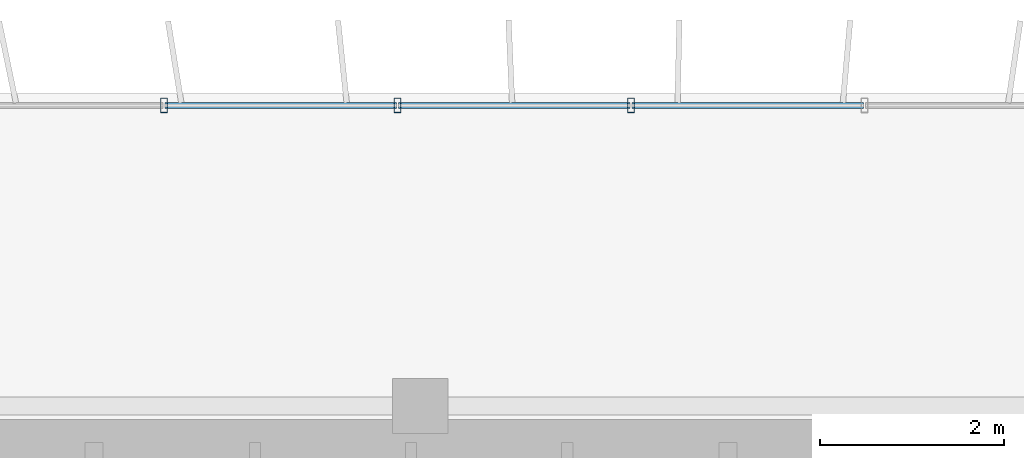
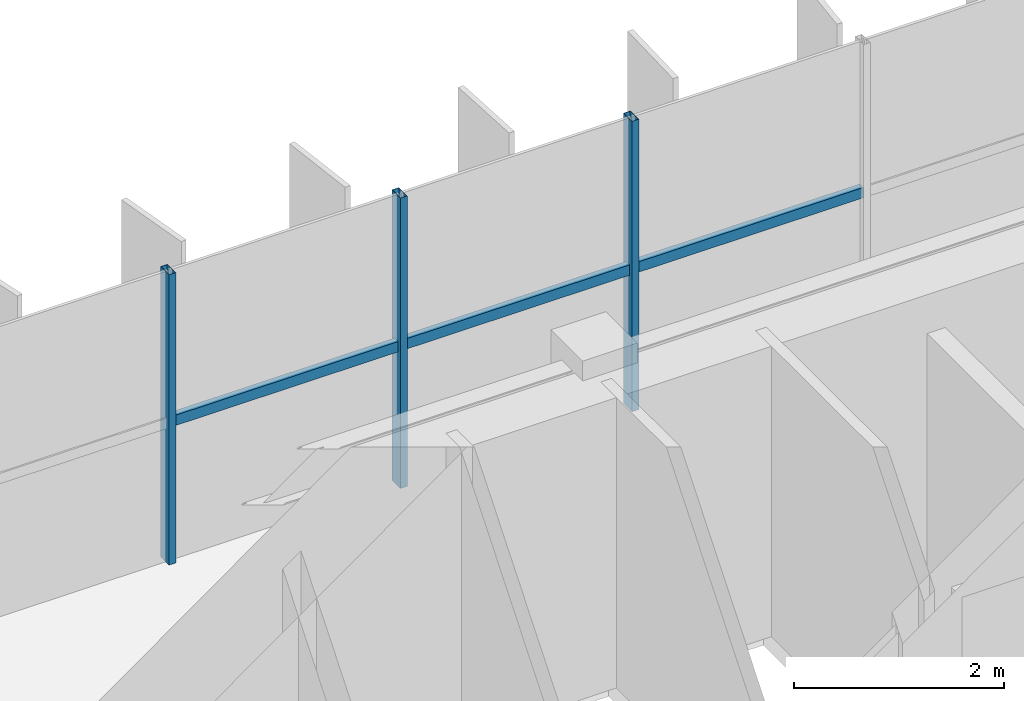
# One storey, part 11 of 22: 6 members, 1 element without a shape of its own.
"""IFC4 building model written with IfcOpenShell, lengths in metres."""

from ifc_helpers import new_model, si_unit, direction, frame, origin, origin_2d, place, context, subcontext, project, spatial, hollow_rectangle, extrude, source, transform, mapped, material, material_profile, profile_set, type_object, element, aggregate, save


model = new_model("IFC4")

# Units and contexts
model_context = context("Model", 3, precision=1e-05, world=origin(), true_north=direction((0.0, 1.0)))
body_context = subcontext(model_context, "Body", "Model", "MODEL_VIEW")
ifc_project = project(units=[si_unit("LENGTHUNIT", "METRE"), si_unit("AREAUNIT", "SQUARE_METRE"), si_unit("VOLUMEUNIT", "CUBIC_METRE"), si_unit("PLANEANGLEUNIT", "RADIAN"), si_unit("MASSUNIT", "GRAM", prefix="KILO")], contexts=[model_context])

# Site, building, storey
site_placement = place(None, origin())
site = spatial("IfcSite", under=ifc_project, at=site_placement, CompositionType="ELEMENT")
building_placement = place(site_placement, origin())
building = spatial("IfcBuilding", under=site, at=building_placement, Name="Trelvane Seafront Commons", CompositionType="ELEMENT")
storey_placement = place(building_placement, frame((0.0, 0.0, 270.300048828125)))
storey = spatial("IfcBuildingStorey", under=building, at=storey_placement, Name="L70", CompositionType="ELEMENT", Elevation=270.300048828125)

# Curtain wall, members
ifc_material = material(Name="Anodised pale-silver aluminium", Category="aluminium")
curtain_wall_type = type_object("IfcCurtainWallType", Name="ARCH-CW5-UPTOWER", PredefinedType="NOTDEFINED", material=ifc_material)
curtain_wall_placement = place(storey_placement, origin())
curtain_wall = element("IfcCurtainWall", 1, at=curtain_wall_placement, inside=storey, type_object=curtain_wall_type, Name="CW-L70-0114", PredefinedType="NOTDEFINED")
ifc_material_profile_1 = material_profile(ifc_material, hollow_rectangle(XDim=0.070068359375, YDim=0.1201171875, WallThickness=0.00390625, at=origin_2d()), Name="TRAN-70x120x4")
ifc_profile_set_1 = profile_set([ifc_material_profile_1], Name="Anodised pale-silver aluminium")
member_type_1 = type_object("IfcMemberType", Name="ARCH-CW-TRAN-120", PredefinedType="USERDEFINED", material=ifc_profile_set_1)
shared_shape_1 = source(origin(), body_context, "Body", "SweptSolid", [
    extrude(hollow_rectangle(XDim=0.070068359375, YDim=0.1201171875, WallThickness=0.00390625, at=origin_2d()), origin(), (0.0, 0.0, 1.0), 2.51708984375),
])
member_1_placement = place(storey_placement, frame((43.56494140625, 48.3701171875, 1.617919921875), z_axis=(1.0, 0.0, 0.0), x_axis=(0.0, 1.0, 0.0)))
member_1 = element("IfcMember", 2, at=member_1_placement, type_object=member_type_1, Name="CW-L70-0114-T11", ObjectType="TRANSOM", PredefinedType="USERDEFINED", context=body_context, shape_type="MappedRepresentation", body=[
    mapped(shared_shape_1, transform((0.0, 0.0, 0.0), x_axis=(1.0, 0.0, 0.0), y_axis=(0.0, 1.0, 0.0), z_axis=(0.0, 0.0, 1.0), scale=1.0)),
])
member_2_placement = place(storey_placement, frame((46.106201171875, 48.3701171875, 1.617919921875), z_axis=(1.0, 0.0, 0.0), x_axis=(0.0, 1.0, 0.0)))
member_2 = element("IfcMember", 3, at=member_2_placement, type_object=member_type_1, Name="CW-L70-0114-T12", ObjectType="TRANSOM", PredefinedType="USERDEFINED", context=body_context, shape_type="MappedRepresentation", body=[
    mapped(shared_shape_1, transform((0.0, 0.0, 0.0), x_axis=(1.0, 0.0, 0.0), y_axis=(0.0, 1.0, 0.0), z_axis=(0.0, 0.0, 1.0), scale=1.0)),
])
shared_shape_2 = source(origin(), body_context, "Body", "SweptSolid", [
    extrude(hollow_rectangle(XDim=0.070068359375, YDim=0.1201171875, WallThickness=0.00390625, at=origin_2d()), origin(), (0.0, 0.0, 1.0), 2.517333984375),
])
member_3_placement = place(storey_placement, frame((41.023681640625, 48.3701171875, 1.617919921875), z_axis=(1.0, 0.0, 0.0), x_axis=(0.0, 1.0, 0.0)))
member_3 = element("IfcMember", 4, at=member_3_placement, type_object=member_type_1, Name="CW-L70-0114-T10", ObjectType="TRANSOM", PredefinedType="USERDEFINED", context=body_context, shape_type="MappedRepresentation", body=[
    mapped(shared_shape_2, transform((0.0, 0.0, 0.0), x_axis=(1.0, 0.0, 0.0), y_axis=(0.0, 1.0, 0.0), z_axis=(0.0, 0.0, 1.0), scale=1.0)),
])
ifc_material_profile_2 = material_profile(ifc_material, hollow_rectangle(XDim=0.074951171875, YDim=0.159912109375, WallThickness=0.00390625, at=origin_2d()), Name="MULL-75x160x4")
ifc_profile_set_2 = profile_set([ifc_material_profile_2], Name="Anodised pale-silver aluminium")
member_type_2 = type_object("IfcMemberType", Name="ARCH-CW-MULL-160", PredefinedType="MULLION", material=ifc_profile_set_2)
shared_shape_3 = source(origin(), body_context, "Body", "SweptSolid", [
    extrude(hollow_rectangle(XDim=0.074951171875, YDim=0.159912109375, WallThickness=0.00390625, at=origin_2d()), origin(), (0.0, 0.0, 1.0), 3.369873046875),
])
member_4_placement = place(storey_placement, frame((41.01171875, 48.3701171875, 0.0), z_axis=(0.0, 0.0, 1.0), x_axis=(1.0, 0.0, 0.0)))
member_4 = element("IfcMember", 5, at=member_4_placement, type_object=member_type_2, Name="CW-L70-0114-M10", PredefinedType="MULLION", context=body_context, shape_type="MappedRepresentation", body=[
    mapped(shared_shape_3, transform((0.0, 0.0, 0.0), x_axis=(1.0, 0.0, 0.0), y_axis=(0.0, 1.0, 0.0), z_axis=(0.0, 0.0, 1.0), scale=1.0)),
])
member_5_placement = place(storey_placement, frame((43.552978515625, 48.3701171875, 0.0), z_axis=(0.0, 0.0, 1.0), x_axis=(1.0, 0.0, 0.0)))
member_5 = element("IfcMember", 6, at=member_5_placement, type_object=member_type_2, Name="CW-L70-0114-M11", PredefinedType="MULLION", context=body_context, shape_type="MappedRepresentation", body=[
    mapped(shared_shape_3, transform((0.0, 0.0, 0.0), x_axis=(1.0, 0.0, 0.0), y_axis=(0.0, 1.0, 0.0), z_axis=(0.0, 0.0, 1.0), scale=1.0)),
])
member_6_placement = place(storey_placement, frame((46.093994140625, 48.3701171875, 0.0), z_axis=(0.0, 0.0, 1.0), x_axis=(1.0, 0.0, 0.0)))
member_6 = element("IfcMember", 7, at=member_6_placement, type_object=member_type_2, Name="CW-L70-0114-M12", PredefinedType="MULLION", context=body_context, shape_type="MappedRepresentation", body=[
    mapped(shared_shape_3, transform((0.0, 0.0, 0.0), x_axis=(1.0, 0.0, 0.0), y_axis=(0.0, 1.0, 0.0), z_axis=(0.0, 0.0, 1.0), scale=1.0)),
])
aggregate(curtain_wall, [member_4, member_5, member_6, member_3, member_1, member_2])

save(model, "model.ifc")
